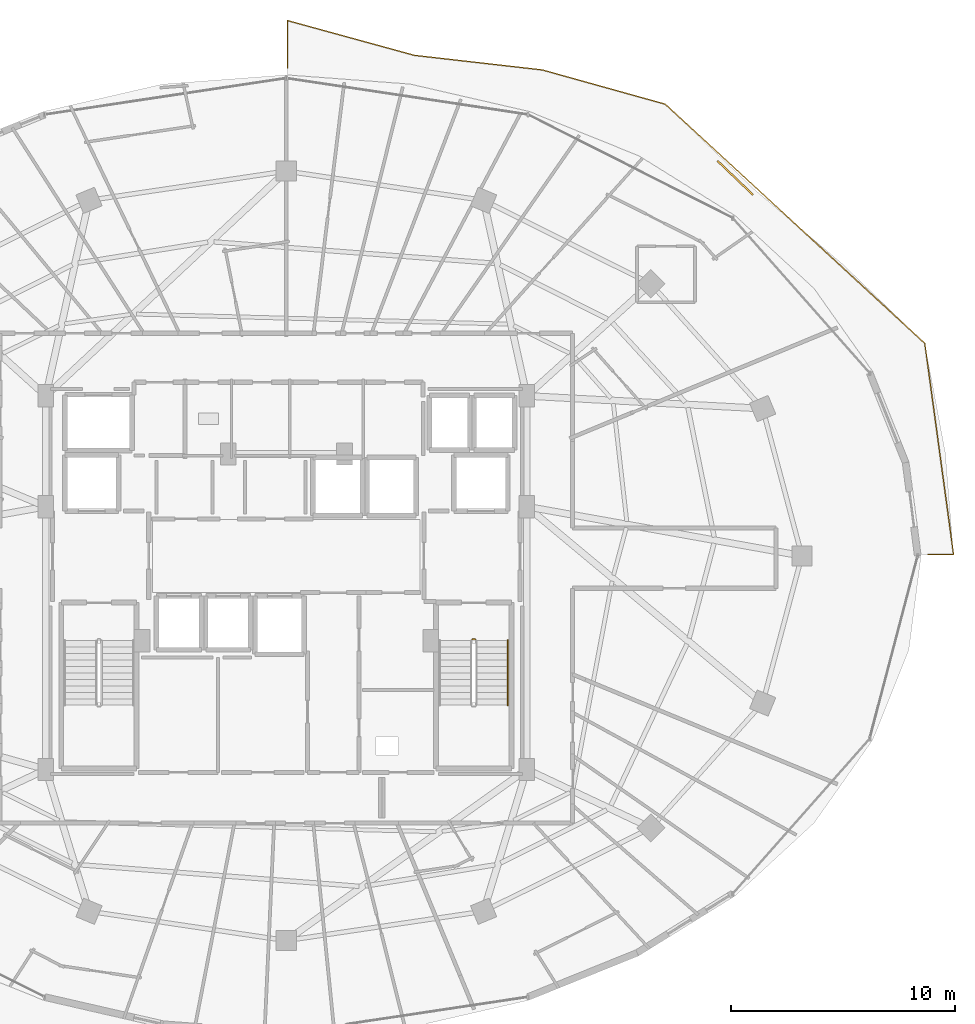
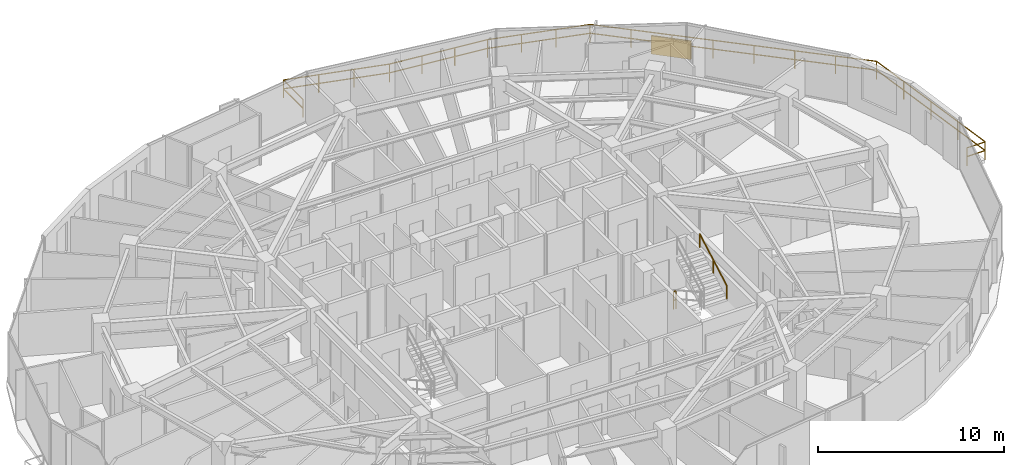
# One storey, part 32 of 33: 4 railings, 1 shading device.
"""IFC4 building model written with IfcOpenShell, lengths in metres."""

from ifc_helpers import new_model, si_unit, direction, frame, origin, origin_2d, place, context, subcontext, project, spatial, rectangle, extrude, material, type_object, element, save


model = new_model("IFC4")

# Units and contexts
model_context = context("Model", 3, precision=1e-05, world=origin(), true_north=direction((0.0, 1.0)))
body_context = subcontext(model_context, "Body", "Model", "MODEL_VIEW")
ifc_project = project(units=[si_unit("LENGTHUNIT", "METRE"), si_unit("AREAUNIT", "SQUARE_METRE"), si_unit("VOLUMEUNIT", "CUBIC_METRE"), si_unit("PLANEANGLEUNIT", "RADIAN"), si_unit("MASSUNIT", "GRAM", prefix="KILO")], contexts=[model_context])

# Site, building, storey
site_placement = place(None, origin())
site = spatial("IfcSite", under=ifc_project, at=site_placement, CompositionType="ELEMENT")
building_placement = place(site_placement, origin())
building = spatial("IfcBuilding", under=site, at=building_placement, Name="Vorneva Point Tower", CompositionType="ELEMENT")
storey_placement = place(building_placement, frame((0.0, 0.0, 217.85009765625)))
storey = spatial("IfcBuildingStorey", under=building, at=storey_placement, Name="L59", CompositionType="ELEMENT", Elevation=217.85009765625)

# Railings
ifc_material_1 = material(Name="Pale anodised aluminium", Category="aluminium")
railing_type_1 = type_object("IfcRailingType", Name="RL-BAL-1200", PredefinedType="BALUSTRADE", material=ifc_material_1)
railing_1_placement = place(storey_placement, frame((38.050048828125, 49.931396484375, 0.0)))
element("IfcRailing", 1, at=railing_1_placement, inside=storey, type_object=railing_type_1, Name="L59 Wave Balcony Balustrade NE.1", PredefinedType="BALUSTRADE", context=body_context, shape_type="SweptSolid", body=[
    extrude(rectangle(XDim=0.048095703125, YDim=0.048095703125, at=origin_2d()), frame((0.0, 0.0, 1.17578125), z_axis=(0.0, -1.0, 0.0), x_axis=(1.0, 0.0, 0.0)), (0.0, 0.0, 1.0), 2.1142578125),
    extrude(rectangle(XDim=0.048095703125, YDim=0.048095703125, at=origin_2d()), frame((0.0, 0.0, 0.60009765625), z_axis=(0.0, -1.0, 0.0), x_axis=(1.0, 0.0, 0.0)), (0.0, 0.0, 1.0), 2.1142578125),
    extrude(rectangle(XDim=0.0419921875, YDim=0.0419921875, at=origin_2d()), origin(), (0.0, 0.0, 1.0), 1.15185546875),
    extrude(rectangle(XDim=0.0419921875, YDim=0.0419921875, at=origin_2d()), frame((0.0, -2.1142578125, 0.0)), (0.0, 0.0, 1.0), 1.15185546875),
])
railing_2_placement = place(storey_placement, frame((66.6962890625, 26.050048828125, 0.0)))
element("IfcRailing", 2, at=railing_2_placement, inside=storey, type_object=railing_type_1, Name="L59 Wave Balcony Balustrade NE.2", PredefinedType="BALUSTRADE", context=body_context, shape_type="SweptSolid", body=[
    extrude(rectangle(XDim=0.048095703125, YDim=0.048095703125, at=origin_2d()), frame((0.0, 0.0, 1.17578125), z_axis=(1.0, 0.0, 0.0), x_axis=(0.0, 1.0, 0.0)), (0.0, 0.0, 1.0), 1.134765625),
    extrude(rectangle(XDim=0.048095703125, YDim=0.048095703125, at=origin_2d()), frame((0.0, 0.0, 0.60009765625), z_axis=(1.0, 0.0, 0.0), x_axis=(0.0, 1.0, 0.0)), (0.0, 0.0, 1.0), 1.134765625),
    extrude(rectangle(XDim=0.048095703125, YDim=0.048095703125, at=origin_2d()), frame((1.134765625, 0.0, 1.17578125), z_axis=(-0.134869854504, 0.990863321728, 0.0), x_axis=(-0.990863321728, -0.134869854504, 0.0)), (0.0, 0.0, 1.0), 9.5361328125),
    extrude(rectangle(XDim=0.048095703125, YDim=0.048095703125, at=origin_2d()), frame((1.134765625, 0.0, 0.60009765625), z_axis=(-0.134869854504, 0.990863321728, 0.0), x_axis=(-0.990863321728, -0.134869854504, 0.0)), (0.0, 0.0, 1.0), 9.5361328125),
    extrude(rectangle(XDim=0.048095703125, YDim=0.048095703125, at=origin_2d()), frame((-0.1513671875, 9.448974609375, 1.17578125), z_axis=(-0.735377309745, 0.677657887368, 0.0), x_axis=(-0.677657887368, -0.735377309745, 0.0)), (0.0, 0.0, 1.0), 15.78125),
    extrude(rectangle(XDim=0.048095703125, YDim=0.048095703125, at=origin_2d()), frame((-0.1513671875, 9.448974609375, 0.60009765625), z_axis=(-0.735377309745, 0.677657887368, 0.0), x_axis=(-0.677657887368, -0.735377309745, 0.0)), (0.0, 0.0, 1.0), 15.78125),
    extrude(rectangle(XDim=0.048095703125, YDim=0.048095703125, at=origin_2d()), frame((-11.756591796875, 20.143310546875, 1.17578125), z_axis=(-0.963324519058, 0.268339097005, 0.0), x_axis=(-0.268339097005, -0.963324519058, 0.0)), (0.0, 0.0, 1.0), 5.70458984375),
    extrude(rectangle(XDim=0.048095703125, YDim=0.048095703125, at=origin_2d()), frame((-11.756591796875, 20.143310546875, 0.60009765625), z_axis=(-0.963324519058, 0.268339097005, 0.0), x_axis=(-0.268339097005, -0.963324519058, 0.0)), (0.0, 0.0, 1.0), 5.70458984375),
    extrude(rectangle(XDim=0.048095703125, YDim=0.048095703125, at=origin_2d()), frame((-17.251953125, 21.674072265625, 1.17578125), z_axis=(-0.993563835957, 0.113273579794, 0.0), x_axis=(-0.113273579794, -0.993563835957, 0.0)), (0.0, 0.0, 1.0), 5.75048828125),
    extrude(rectangle(XDim=0.048095703125, YDim=0.048095703125, at=origin_2d()), frame((-17.251953125, 21.674072265625, 0.60009765625), z_axis=(-0.993563835957, 0.113273579794, 0.0), x_axis=(-0.113273579794, -0.993563835957, 0.0)), (0.0, 0.0, 1.0), 5.75048828125),
    extrude(rectangle(XDim=0.048095703125, YDim=0.048095703125, at=origin_2d()), frame((-22.96533203125, 22.325439453125, 1.17578125), z_axis=(-0.964480133149, 0.264155395099, 0.0), x_axis=(-0.264155395099, -0.964480133149, 0.0)), (0.0, 0.0, 1.0), 5.89013671875),
    extrude(rectangle(XDim=0.048095703125, YDim=0.048095703125, at=origin_2d()), frame((-22.96533203125, 22.325439453125, 0.60009765625), z_axis=(-0.964480133149, 0.264155395099, 0.0), x_axis=(-0.264155395099, -0.964480133149, 0.0)), (0.0, 0.0, 1.0), 5.89013671875),
    extrude(rectangle(XDim=0.0419921875, YDim=0.0419921875, at=origin_2d()), origin(), (0.0, 0.0, 1.0), 1.15185546875),
    extrude(rectangle(XDim=0.0419921875, YDim=0.0419921875, at=origin_2d()), frame((1.134765625, 0.0, 0.0)), (0.0, 0.0, 1.0), 1.15185546875),
    extrude(rectangle(XDim=0.0419921875, YDim=0.0419921875, at=origin_2d()), frame((0.813232421875, 2.3623046875, 0.0)), (0.0, 0.0, 1.0), 1.15185546875),
    extrude(rectangle(XDim=0.0419921875, YDim=0.0419921875, at=origin_2d()), frame((0.49169921875, 4.724609375, 0.0)), (0.0, 0.0, 1.0), 1.15185546875),
    extrude(rectangle(XDim=0.0419921875, YDim=0.0419921875, at=origin_2d()), frame((0.170166015625, 7.086669921875, 0.0)), (0.0, 0.0, 1.0), 1.15185546875),
    extrude(rectangle(XDim=0.0419921875, YDim=0.0419921875, at=origin_2d()), frame((-0.1513671875, 9.448974609375, 0.0)), (0.0, 0.0, 1.0), 1.15185546875),
    extrude(rectangle(XDim=0.0419921875, YDim=0.0419921875, at=origin_2d()), frame((-1.809326171875, 10.976806640625, 0.0)), (0.0, 0.0, 1.0), 1.15185546875),
    extrude(rectangle(XDim=0.0419921875, YDim=0.0419921875, at=origin_2d()), frame((-3.467041015625, 12.50439453125, 0.0)), (0.0, 0.0, 1.0), 1.15185546875),
    extrude(rectangle(XDim=0.0419921875, YDim=0.0419921875, at=origin_2d()), frame((-5.125, 14.0322265625, 0.0)), (0.0, 0.0, 1.0), 1.15185546875),
    extrude(rectangle(XDim=0.0419921875, YDim=0.0419921875, at=origin_2d()), frame((-6.782958984375, 15.56005859375, 0.0)), (0.0, 0.0, 1.0), 1.15185546875),
    extrude(rectangle(XDim=0.0419921875, YDim=0.0419921875, at=origin_2d()), frame((-8.44091796875, 17.087890625, 0.0)), (0.0, 0.0, 1.0), 1.15185546875),
    extrude(rectangle(XDim=0.0419921875, YDim=0.0419921875, at=origin_2d()), frame((-10.0986328125, 18.615478515625, 0.0)), (0.0, 0.0, 1.0), 1.15185546875),
    extrude(rectangle(XDim=0.0419921875, YDim=0.0419921875, at=origin_2d()), frame((-11.756591796875, 20.143310546875, 0.0)), (0.0, 0.0, 1.0), 1.15185546875),
    extrude(rectangle(XDim=0.0419921875, YDim=0.0419921875, at=origin_2d()), frame((-13.58837890625, 20.653564453125, 0.0)), (0.0, 0.0, 1.0), 1.15185546875),
    extrude(rectangle(XDim=0.0419921875, YDim=0.0419921875, at=origin_2d()), frame((-15.420166015625, 21.163818359375, 0.0)), (0.0, 0.0, 1.0), 1.15185546875),
    extrude(rectangle(XDim=0.0419921875, YDim=0.0419921875, at=origin_2d()), frame((-17.251953125, 21.674072265625, 0.0)), (0.0, 0.0, 1.0), 1.15185546875),
    extrude(rectangle(XDim=0.0419921875, YDim=0.0419921875, at=origin_2d()), frame((-19.156494140625, 21.89111328125, 0.0)), (0.0, 0.0, 1.0), 1.15185546875),
    extrude(rectangle(XDim=0.0419921875, YDim=0.0419921875, at=origin_2d()), frame((-21.060791015625, 22.1083984375, 0.0)), (0.0, 0.0, 1.0), 1.15185546875),
    extrude(rectangle(XDim=0.0419921875, YDim=0.0419921875, at=origin_2d()), frame((-22.96533203125, 22.325439453125, 0.0)), (0.0, 0.0, 1.0), 1.15185546875),
    extrude(rectangle(XDim=0.0419921875, YDim=0.0419921875, at=origin_2d()), frame((-24.85888671875, 22.843994140625, 0.0)), (0.0, 0.0, 1.0), 1.15185546875),
    extrude(rectangle(XDim=0.0419921875, YDim=0.0419921875, at=origin_2d()), frame((-26.752685546875, 23.36279296875, 0.0)), (0.0, 0.0, 1.0), 1.15185546875),
    extrude(rectangle(XDim=0.0419921875, YDim=0.0419921875, at=origin_2d()), frame((-28.646240234375, 23.88134765625, 0.0)), (0.0, 0.0, 1.0), 1.15185546875),
])
ifc_material_2 = material(Name="Brushed stainless steel S304", Category="steel")
railing_type_2 = type_object("IfcRailingType", Name="RL-HND-920", PredefinedType="HANDRAIL", material=ifc_material_2)
railing_3_placement = place(storey_placement, frame((47.89990234375, 19.320068359375, 1.936279296875)))
element("IfcRailing", 3, at=railing_3_placement, inside=storey, type_object=railing_type_2, Name="L59 ST2 stair handrail 2", PredefinedType="HANDRAIL", context=body_context, shape_type="SweptSolid", body=[
    extrude(rectangle(XDim=0.048095703125, YDim=0.048095703125, at=origin_2d()), frame((0.0, 0.0, 0.8759765625), z_axis=(0.0, 0.873841303929, 0.486211245805), x_axis=(-1.0, 0.0, 0.0)), (0.0, 0.0, 1.0), 3.318603515625),
    extrude(rectangle(XDim=0.0419921875, YDim=0.0419921875, at=origin_2d()), origin(), (0.0, 0.0, 1.0), 0.851806640625),
    extrude(rectangle(XDim=0.0419921875, YDim=0.0419921875, at=origin_2d()), frame((0.0, 1.449951171875, 0.806640625)), (0.0, 0.0, 1.0), 0.851806640625),
    extrude(rectangle(XDim=0.0419921875, YDim=0.0419921875, at=origin_2d()), frame((0.0, 2.89990234375, 1.613525390625)), (0.0, 0.0, 1.0), 0.851806640625),
])
railing_type_3 = type_object("IfcRailingType", Name="RL-STG-1100", PredefinedType="GUARDRAIL", material=ifc_material_2)
railing_4_placement = place(storey_placement, frame((46.300048828125, 22.27001953125, 0.0)))
element("IfcRailing", 4, at=railing_4_placement, inside=storey, type_object=railing_type_3, Name="L59 ST2 stair guard 4", PredefinedType="GUARDRAIL", context=body_context, shape_type="SweptSolid", body=[
    extrude(rectangle(XDim=0.048095703125, YDim=0.048095703125, at=origin_2d()), frame((0.0, 0.0, 1.17578125), z_axis=(1.0, 0.0, 0.0), x_axis=(0.0, 1.0, 0.0)), (0.0, 0.0, 1.0), 0.14990234375),
    extrude(rectangle(XDim=0.048095703125, YDim=0.048095703125, at=origin_2d()), frame((0.0, 0.0, 0.60009765625), z_axis=(1.0, 0.0, 0.0), x_axis=(0.0, 1.0, 0.0)), (0.0, 0.0, 1.0), 0.14990234375),
    extrude(rectangle(XDim=0.0419921875, YDim=0.0419921875, at=origin_2d()), origin(), (0.0, 0.0, 1.0), 1.15185546875),
    extrude(rectangle(XDim=0.0419921875, YDim=0.0419921875, at=origin_2d()), frame((0.14990234375, 0.0, 0.0)), (0.0, 0.0, 1.0), 1.15185546875),
])

# Shading device
shading_device_type = type_object("IfcShadingDeviceType", Name="SHD-JAL-1200", PredefinedType="JALOUSIE", material=ifc_material_1)
shading_device_placement = place(storey_placement, frame((58.070068359375, 42.89794921875, -0.02001953125), z_axis=(0.0, 0.0, 1.0), x_axis=(-0.722774186958, 0.691084274649, 0.0)))
element("IfcShadingDevice", 5, at=shading_device_placement, inside=storey, type_object=shading_device_type, Name="L59 Balcony Vertical-Greenery Planter Screen NE.2", PredefinedType="JALOUSIE", context=body_context, shape_type="SweptSolid", body=[
    extrude(rectangle(XDim=2.199951171875, YDim=0.080078125, at=origin_2d()), origin(), (0.0, 0.0, 1.0), 1.199951171875),
])

save(model, "model.ifc")
